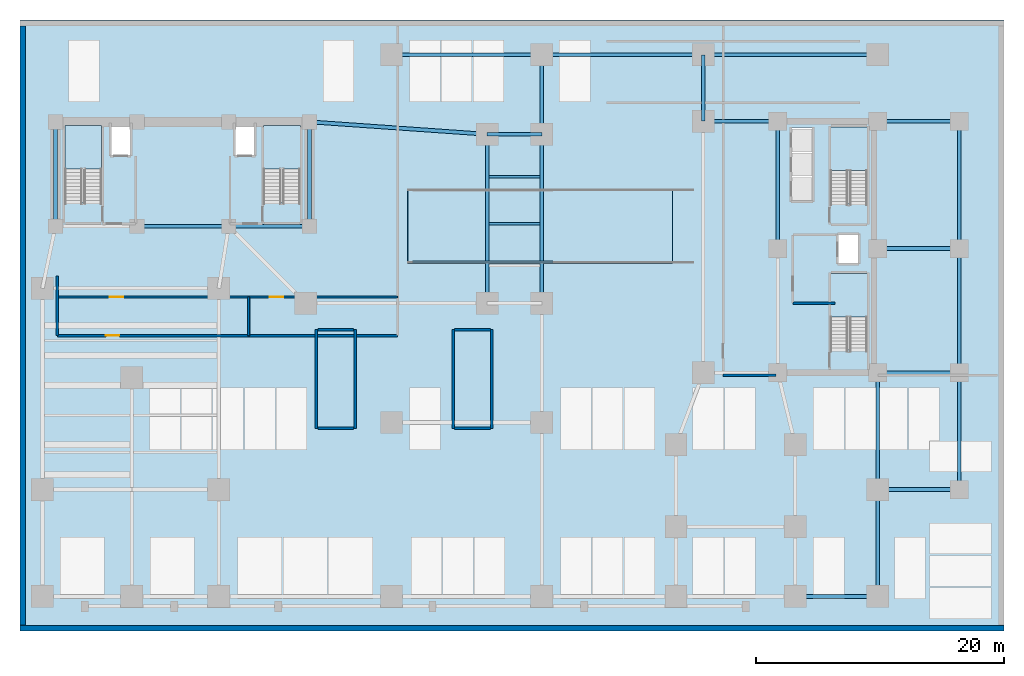
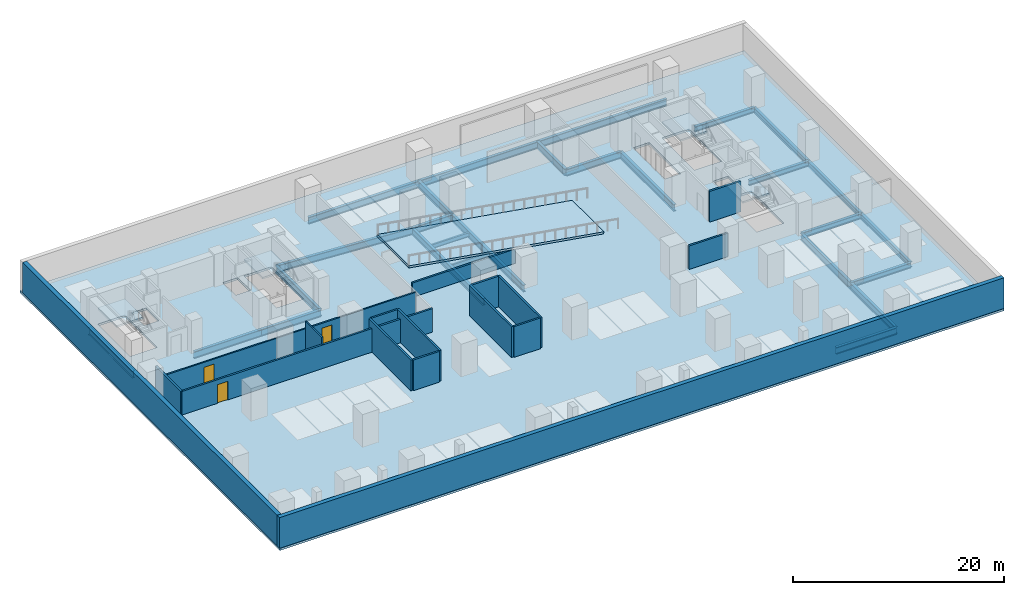
# One storey, part 2 of 9: 27 beams, 17 walls, 6 slabs, 3 doors, 3 openings, 4 elements without a shape of their own.
"""IFC4 building model written with IfcOpenShell, lengths in metres."""

from ifc_helpers import new_model, si_unit, direction, frame, frame_2d, origin, origin_2d, place, context, subcontext, project, spatial, polyline, rectangle, i_section, outline, extrude, material, layer, layer_set, material_profile, profile_set, type_object, element, fill, aggregate, save


model = new_model("IFC4")

# Units and contexts
model_context = context("Model", 3, precision=1e-05, world=origin(), true_north=direction((0.0, 1.0)))
body_context = subcontext(model_context, "Body", "Model", "MODEL_VIEW")
ifc_project = project(units=[si_unit("LENGTHUNIT", "METRE"), si_unit("AREAUNIT", "SQUARE_METRE"), si_unit("VOLUMEUNIT", "CUBIC_METRE"), si_unit("PLANEANGLEUNIT", "RADIAN"), si_unit("MASSUNIT", "GRAM", prefix="KILO")], contexts=[model_context])

# Site, building, storey
site_placement = place(None, origin())
site = spatial("IfcSite", under=ifc_project, at=site_placement, CompositionType="ELEMENT")
building_placement = place(site_placement, origin())
building = spatial("IfcBuilding", under=site, at=building_placement, Name="Kuzgunbayir Cultural Tower", CompositionType="ELEMENT")
storey_placement = place(building_placement, frame((0.0, 0.0, -7.60009765625)))
storey = spatial("IfcBuildingStorey", under=building, at=storey_placement, Name="B02", CompositionType="ELEMENT", Elevation=-7.60009765625)

# Beams
ifc_material_1 = material(Name="Steel S460M", Category="steel")
ifc_material_profile_1 = material_profile(ifc_material_1, i_section(OverallWidth=0.304931640625, OverallDepth=0.6201171875, WebThickness=0.02099609375, FlangeThickness=0.0400390625, FilletRadius=0.027099609375, at=origin_2d()), Name="HEM 600")
ifc_profile_set_1 = profile_set([ifc_material_profile_1], Name="Steel S460M")
beam_type_1 = type_object("IfcBeamType", Name="BM-GIR-HEM600", PredefinedType="BEAM", material=ifc_profile_set_1)
for number, where, z_axis, x_axis, name in (
    (1, (72.64990234375, 12.60009765625, -0.559814453125), (1.0, 0.0, 0.0), (0.0, 1.0, 0.0), "B02 East Substructure Girder 1"),
    (2, (72.64990234375, 22.0, -0.559814453125), (1.0, 0.0, 0.0), (0.0, 1.0, 0.0), "B02 East Substructure Girder 2"),
    (3, (72.64990234375, 32.0, -0.559814453125), (1.0, 0.0, 0.0), (0.0, 1.0, 0.0), "B02 East Substructure Girder 3"),
    (4, (72.64990234375, 42.25, -0.559814453125), (1.0, 0.0, 0.0), (0.0, 1.0, 0.0), "B02 East Substructure Girder 4"),
):
    element("IfcBeam", number, at=place(storey_placement, frame(where, z_axis=z_axis, x_axis=x_axis)), inside=storey, type_object=beam_type_1, Name=name, PredefinedType="BEAM", context=body_context, shape_type="SweptSolid", body=[
        extrude(i_section(OverallWidth=0.304931640625, OverallDepth=0.6201171875, WebThickness=0.02099609375, FlangeThickness=0.0400390625, FilletRadius=0.027099609375, at=origin_2d()), origin(), (0.0, 0.0, 1.0), 6.550048828125),
    ])
beam_1_placement = place(storey_placement, frame((79.199951171875, 12.60009765625, -0.559814453125), z_axis=(0.0, 1.0, 0.0), x_axis=(-1.0, 0.0, 0.0)))
element("IfcBeam", 5, at=beam_1_placement, inside=storey, type_object=beam_type_1, Name="B02 East Substructure Spine 1", PredefinedType="BEAM", context=body_context, shape_type="SweptSolid", body=[
    extrude(i_section(OverallWidth=0.304931640625, OverallDepth=0.6201171875, WebThickness=0.02099609375, FlangeThickness=0.0400390625, FilletRadius=0.027099609375, at=origin_2d()), origin(), (0.0, 0.0, 1.0), 9.39990234375),
])
beam_2_placement = place(storey_placement, frame((79.199951171875, 22.0, -0.559814453125), z_axis=(0.0, 1.0, 0.0), x_axis=(-1.0, 0.0, 0.0)))
element("IfcBeam", 6, at=beam_2_placement, inside=storey, type_object=beam_type_1, Name="B02 East Substructure Spine 2", PredefinedType="BEAM", context=body_context, shape_type="SweptSolid", body=[
    extrude(i_section(OverallWidth=0.304931640625, OverallDepth=0.6201171875, WebThickness=0.02099609375, FlangeThickness=0.0400390625, FilletRadius=0.027099609375, at=origin_2d()), origin(), (0.0, 0.0, 1.0), 10.0),
])
beam_3_placement = place(storey_placement, frame((79.199951171875, 32.0, -0.559814453125), z_axis=(0.0, 1.0, 0.0), x_axis=(-1.0, 0.0, 0.0)))
element("IfcBeam", 7, at=beam_3_placement, inside=storey, type_object=beam_type_1, Name="B02 East Substructure Spine 3", PredefinedType="BEAM", context=body_context, shape_type="SweptSolid", body=[
    extrude(i_section(OverallWidth=0.304931640625, OverallDepth=0.6201171875, WebThickness=0.02099609375, FlangeThickness=0.0400390625, FilletRadius=0.027099609375, at=origin_2d()), origin(), (0.0, 0.0, 1.0), 10.25),
])
ifc_material_profile_2 = material_profile(ifc_material_1, i_section(OverallWidth=0.302978515625, OverallDepth=0.81396484375, WebThickness=0.02099609375, FlangeThickness=0.0400390625, FilletRadius=0.030029296875, at=origin_2d()), Name="HEM 800")
ifc_profile_set_2 = profile_set([ifc_material_profile_2], Name="Steel S460M")
beam_type_2 = type_object("IfcBeamType", Name="BM-GIR-HEM800", PredefinedType="BEAM", material=ifc_profile_set_2)
beam_4_placement = place(storey_placement, frame((66.0, 4.0, -0.659912109375), z_axis=(1.0, 0.0, 0.0), x_axis=(0.0, 1.0, 0.0)))
element("IfcBeam", 8, at=beam_4_placement, inside=storey, type_object=beam_type_2, Name="B02 Podium South Girder 7", PredefinedType="BEAM", context=body_context, shape_type="SweptSolid", body=[
    extrude(i_section(OverallWidth=0.302978515625, OverallDepth=0.81396484375, WebThickness=0.02099609375, FlangeThickness=0.0400390625, FilletRadius=0.030029296875, at=origin_2d()), origin(), (0.0, 0.0, 1.0), 6.64990234375),
])
beam_5_placement = place(storey_placement, frame((33.5, 47.60009765625, -0.659912109375), z_axis=(1.0, 0.0, 0.0), x_axis=(0.0, 1.0, 0.0)))
element("IfcBeam", 9, at=beam_5_placement, inside=storey, type_object=beam_type_2, Name="B02 Podium North Girder 1", PredefinedType="BEAM", context=body_context, shape_type="SweptSolid", body=[
    extrude(i_section(OverallWidth=0.302978515625, OverallDepth=0.81396484375, WebThickness=0.02099609375, FlangeThickness=0.0400390625, FilletRadius=0.030029296875, at=origin_2d()), origin(), (0.0, 0.0, 1.0), 12.10009765625),
])
beam_6_placement = place(storey_placement, frame((45.60009765625, 47.60009765625, -0.659912109375), z_axis=(1.0, 0.0, 0.0), x_axis=(0.0, 1.0, 0.0)))
element("IfcBeam", 10, at=beam_6_placement, inside=storey, type_object=beam_type_2, Name="B02 Podium North Girder 2", PredefinedType="BEAM", context=body_context, shape_type="SweptSolid", body=[
    extrude(i_section(OverallWidth=0.302978515625, OverallDepth=0.81396484375, WebThickness=0.02099609375, FlangeThickness=0.0400390625, FilletRadius=0.030029296875, at=origin_2d()), origin(), (0.0, 0.0, 1.0), 13.0),
])
beam_7_placement = place(storey_placement, frame((58.60009765625, 47.60009765625, -0.659912109375), z_axis=(1.0, 0.0, 0.0), x_axis=(0.0, 1.0, 0.0)))
element("IfcBeam", 11, at=beam_7_placement, inside=storey, type_object=beam_type_2, Name="B02 Podium North Girder 3", PredefinedType="BEAM", context=body_context, shape_type="SweptSolid", body=[
    extrude(i_section(OverallWidth=0.302978515625, OverallDepth=0.81396484375, WebThickness=0.02099609375, FlangeThickness=0.0400390625, FilletRadius=0.030029296875, at=origin_2d()), origin(), (0.0, 0.0, 1.0), 14.0498046875),
])
beam_8_placement = place(storey_placement, frame((26.89990234375, 42.199951171875, -0.659912109375), z_axis=(0.997563840671, -0.06975947094, 0.0), x_axis=(0.06975947094, 0.997563840671, 0.0)))
element("IfcBeam", 12, at=beam_8_placement, inside=storey, type_object=beam_type_2, Name="B02 Podium Primary Girder 12", PredefinedType="BEAM", context=body_context, shape_type="SweptSolid", body=[
    extrude(i_section(OverallWidth=0.302978515625, OverallDepth=0.81396484375, WebThickness=0.02099609375, FlangeThickness=0.0400390625, FilletRadius=0.030029296875, at=origin_2d()), origin(), (0.0, 0.0, 1.0), 14.3349609375),
])
beam_9_placement = place(storey_placement, frame((41.199951171875, 41.199951171875, -0.659912109375), z_axis=(1.0, 0.0, 0.0), x_axis=(0.0, 1.0, 0.0)))
element("IfcBeam", 13, at=beam_9_placement, inside=storey, type_object=beam_type_2, Name="B02 Podium Primary Girder 13", PredefinedType="BEAM", context=body_context, shape_type="SweptSolid", body=[
    extrude(i_section(OverallWidth=0.302978515625, OverallDepth=0.81396484375, WebThickness=0.02099609375, FlangeThickness=0.0400390625, FilletRadius=0.030029296875, at=origin_2d()), origin(), (0.0, 0.0, 1.0), 4.400146484375),
])
for number, where, z_axis, x_axis, name in (
    (14, (41.199951171875, 27.60009765625, -0.659912109375), (0.0, 1.0, 0.0), (-1.0, 0.0, 0.0), "B02 Podium Primary Girder 14"),
    (15, (45.60009765625, 27.60009765625, -0.659912109375), (0.0, 1.0, 0.0), (-1.0, 0.0, 0.0), "B02 Podium Primary Girder 15"),
):
    element("IfcBeam", number, at=place(storey_placement, frame(where, z_axis=z_axis, x_axis=x_axis)), inside=storey, type_object=beam_type_2, Name=name, PredefinedType="BEAM", context=body_context, shape_type="SweptSolid", body=[
        extrude(i_section(OverallWidth=0.302978515625, OverallDepth=0.81396484375, WebThickness=0.02099609375, FlangeThickness=0.0400390625, FilletRadius=0.030029296875, at=origin_2d()), origin(), (0.0, 0.0, 1.0), 13.599853515625),
    ])
beam_10_placement = place(storey_placement, frame((58.60009765625, 42.25, -0.659912109375), z_axis=(1.0, 0.0, 0.0), x_axis=(0.0, 1.0, 0.0)))
element("IfcBeam", 16, at=beam_10_placement, inside=storey, type_object=beam_type_2, Name="B02 Podium Primary Girder 24", PredefinedType="BEAM", context=body_context, shape_type="SweptSolid", body=[
    extrude(i_section(OverallWidth=0.302978515625, OverallDepth=0.81396484375, WebThickness=0.02099609375, FlangeThickness=0.0400390625, FilletRadius=0.030029296875, at=origin_2d()), origin(), (0.0, 0.0, 1.0), 6.0),
])
beam_11_placement = place(storey_placement, frame((64.60009765625, 32.0, -0.659912109375), z_axis=(0.0, 1.0, 0.0), x_axis=(-1.0, 0.0, 0.0)))
element("IfcBeam", 17, at=beam_11_placement, inside=storey, type_object=beam_type_2, Name="B02 Podium Primary Girder 27", PredefinedType="BEAM", context=body_context, shape_type="SweptSolid", body=[
    extrude(i_section(OverallWidth=0.302978515625, OverallDepth=0.81396484375, WebThickness=0.02099609375, FlangeThickness=0.0400390625, FilletRadius=0.030029296875, at=origin_2d()), origin(), (0.0, 0.0, 1.0), 10.25),
])
beam_12_placement = place(storey_placement, frame((13.0, 33.800048828125, -0.659912109375), z_axis=(1.0, 0.0, 0.0), x_axis=(0.0, 1.0, 0.0)))
element("IfcBeam", 18, at=beam_12_placement, inside=storey, type_object=beam_type_2, Name="B02 Podium Primary Girder 29", PredefinedType="BEAM", context=body_context, shape_type="SweptSolid", body=[
    extrude(i_section(OverallWidth=0.302978515625, OverallDepth=0.81396484375, WebThickness=0.02099609375, FlangeThickness=0.0400390625, FilletRadius=0.030029296875, at=origin_2d()), origin(), (0.0, 0.0, 1.0), 7.39990234375),
])
beam_13_placement = place(storey_placement, frame((20.39990234375, 33.800048828125, -0.659912109375), z_axis=(1.0, 0.0, 0.0), x_axis=(0.0, 1.0, 0.0)))
element("IfcBeam", 19, at=beam_13_placement, inside=storey, type_object=beam_type_2, Name="B02 Podium Primary Girder 30", PredefinedType="BEAM", context=body_context, shape_type="SweptSolid", body=[
    extrude(i_section(OverallWidth=0.302978515625, OverallDepth=0.81396484375, WebThickness=0.02099609375, FlangeThickness=0.0400390625, FilletRadius=0.030029296875, at=origin_2d()), origin(), (0.0, 0.0, 1.0), 6.5),
])
for number, where, z_axis, x_axis, name in (
    (20, (6.449951171875, 33.800048828125, -0.659912109375), (0.0, 1.0, 0.0), (-1.0, 0.0, 0.0), "B02 Podium Primary Girder 31"),
    (21, (26.89990234375, 33.800048828125, -0.659912109375), (0.0, 1.0, 0.0), (-1.0, 0.0, 0.0), "B02 Podium Primary Girder 32"),
):
    element("IfcBeam", number, at=place(storey_placement, frame(where, z_axis=z_axis, x_axis=x_axis)), inside=storey, type_object=beam_type_2, Name=name, PredefinedType="BEAM", context=body_context, shape_type="SweptSolid", body=[
        extrude(i_section(OverallWidth=0.302978515625, OverallDepth=0.81396484375, WebThickness=0.02099609375, FlangeThickness=0.0400390625, FilletRadius=0.030029296875, at=origin_2d()), origin(), (0.0, 0.0, 1.0), 8.39990234375),
    ])
beam_14_placement = place(storey_placement, frame((72.64990234375, 4.0, -0.659912109375), z_axis=(0.0, 1.0, 0.0), x_axis=(-1.0, 0.0, 0.0)))
element("IfcBeam", 22, at=beam_14_placement, inside=storey, type_object=beam_type_2, Name="B02 Podium Primary Girder 39", PredefinedType="BEAM", context=body_context, shape_type="SweptSolid", body=[
    extrude(i_section(OverallWidth=0.302978515625, OverallDepth=0.81396484375, WebThickness=0.02099609375, FlangeThickness=0.0400390625, FilletRadius=0.030029296875, at=origin_2d()), origin(), (0.0, 0.0, 1.0), 8.60009765625),
])
beam_15_placement = place(storey_placement, frame((72.64990234375, 12.60009765625, -0.659912109375), z_axis=(0.0, 1.0, 0.0), x_axis=(-1.0, 0.0, 0.0)))
element("IfcBeam", 23, at=beam_15_placement, inside=storey, type_object=beam_type_2, Name="B02 Podium Primary Girder 40", PredefinedType="BEAM", context=body_context, shape_type="SweptSolid", body=[
    extrude(i_section(OverallWidth=0.302978515625, OverallDepth=0.81396484375, WebThickness=0.02099609375, FlangeThickness=0.0400390625, FilletRadius=0.030029296875, at=origin_2d()), origin(), (0.0, 0.0, 1.0), 9.39990234375),
])
beam_16_placement = place(storey_placement, frame((45.60009765625, 41.199951171875, -0.659912109375), z_axis=(0.0, 1.0, 0.0), x_axis=(-1.0, 0.0, 0.0)))
element("IfcBeam", 24, at=beam_16_placement, inside=storey, type_object=beam_type_2, Name="B02 Podium Primary Girder 41", PredefinedType="BEAM", context=body_context, shape_type="SweptSolid", body=[
    extrude(i_section(OverallWidth=0.302978515625, OverallDepth=0.81396484375, WebThickness=0.02099609375, FlangeThickness=0.0400390625, FilletRadius=0.030029296875, at=origin_2d()), origin(), (0.0, 0.0, 1.0), 6.400146484375),
])
beam_17_placement = place(storey_placement, frame((58.60009765625, 42.25, -0.659912109375), z_axis=(0.0, 1.0, 0.0), x_axis=(-1.0, 0.0, 0.0)))
element("IfcBeam", 25, at=beam_17_placement, inside=storey, type_object=beam_type_2, Name="B02 Podium Primary Girder 42", PredefinedType="BEAM", context=body_context, shape_type="SweptSolid", body=[
    extrude(i_section(OverallWidth=0.302978515625, OverallDepth=0.81396484375, WebThickness=0.02099609375, FlangeThickness=0.0400390625, FilletRadius=0.030029296875, at=origin_2d()), origin(), (0.0, 0.0, 1.0), 5.35009765625),
])
ifc_material_2 = material(Name="Steel S355J2", Category="steel")
ifc_material_profile_3 = material_profile(ifc_material_2, i_section(OverallWidth=0.199951171875, OverallDepth=0.5, WebThickness=0.01025390625, FlangeThickness=0.01611328125, FilletRadius=0.02099609375, at=origin_2d()), Name="IPE 500")
ifc_profile_set_3 = profile_set([ifc_material_profile_3], Name="Steel S355J2")
beam_type_3 = type_object("IfcBeamType", Name="BM-JST-IPE500", PredefinedType="JOIST", material=ifc_profile_set_3)
for number, where, z_axis, x_axis, name in (
    (26, (41.35009765625, 34.0, -0.5), (1.0, 0.0, 0.0), (0.0, 1.0, 0.0), "B02 Podium Joist B"),
    (27, (41.35009765625, 37.800048828125, -0.5), (1.0, 0.0, 0.0), (0.0, 1.0, 0.0), "B02 Podium Joist B"),
):
    element("IfcBeam", number, at=place(storey_placement, frame(where, z_axis=z_axis, x_axis=x_axis)), inside=storey, type_object=beam_type_3, Name=name, PredefinedType="JOIST", context=body_context, shape_type="SweptSolid", body=[
        extrude(i_section(OverallWidth=0.199951171875, OverallDepth=0.5, WebThickness=0.01025390625, FlangeThickness=0.01611328125, FilletRadius=0.02099609375, at=origin_2d()), origin(), (0.0, 0.0, 1.0), 4.099853515625),
    ])

# Stair, slab
ifc_material_3 = material(Name="Concrete C40/50", Category="concrete")
stair_type = type_object("IfcStairType", Name="STR-EXIT-CORE", PredefinedType="HALF_TURN_STAIR", material=ifc_material_3)
stair_1_placement = place(storey_placement, origin())
stair_1 = element("IfcStair", 28, at=stair_1_placement, inside=storey, type_object=stair_type, Name="B02 ST-1", PredefinedType="HALF_TURN_STAIR")
ifc_layer_1 = layer(ifc_material_3, 0.179931640625)
ifc_layer_set_1 = layer_set([ifc_layer_1], Name="Concrete C40/50")
slab_type_1 = type_object("IfcSlabType", Name="SLB-LANDING-180", PredefinedType="LANDING", material=ifc_layer_set_1)
slab_1_placement = place(storey_placement, frame((0.0, 0.0, 1.7001953125)))
slab_1 = element("IfcSlab", 29, at=slab_1_placement, type_object=slab_type_1, Name="ST-1 landing 1", PredefinedType="LANDING", context=body_context, shape_type="SweptSolid", body=[
    extrude(outline(polyline([(10.159912109375, 38.39990234375), (10.159912109375, 41.89990234375), (7.199951171875, 41.89990234375), (7.199951171875, 38.39990234375), (10.159912109375, 38.39990234375)])), origin(), (0.0, 0.0, 1.0), 0.199951171875),
])
aggregate(stair_1, [slab_1])

stair_2_placement = place(storey_placement, origin())
stair_2 = element("IfcStair", 30, at=stair_2_placement, inside=storey, type_object=stair_type, Name="B02 ST-2", PredefinedType="HALF_TURN_STAIR")
slab_2_placement = place(storey_placement, frame((0.0, 0.0, 1.7001953125)))
slab_2 = element("IfcSlab", 31, at=slab_2_placement, type_object=slab_type_1, Name="ST-2 landing 1", PredefinedType="LANDING", context=body_context, shape_type="SweptSolid", body=[
    extrude(outline(polyline([(26.159912109375, 38.39990234375), (26.159912109375, 41.89990234375), (23.199951171875, 41.89990234375), (23.199951171875, 38.39990234375), (26.159912109375, 38.39990234375)])), origin(), (0.0, 0.0, 1.0), 0.199951171875),
])
aggregate(stair_2, [slab_2])

stair_3_placement = place(storey_placement, origin())
stair_3 = element("IfcStair", 32, at=stair_3_placement, inside=storey, type_object=stair_type, Name="B02 ST-3", PredefinedType="HALF_TURN_STAIR")
slab_3_placement = place(storey_placement, frame((0.0, 0.0, 1.7001953125)))
slab_3 = element("IfcSlab", 33, at=slab_3_placement, type_object=slab_type_1, Name="ST-3 landing 1", PredefinedType="LANDING", context=body_context, shape_type="SweptSolid", body=[
    extrude(outline(polyline([(71.800048828125, 26.5), (71.800048828125, 30.0), (68.840087890625, 30.0), (68.840087890625, 26.5), (71.800048828125, 26.5)])), origin(), (0.0, 0.0, 1.0), 0.199951171875),
])
aggregate(stair_3, [slab_3])

stair_4_placement = place(storey_placement, origin())
stair_4 = element("IfcStair", 34, at=stair_4_placement, inside=storey, type_object=stair_type, Name="B02 ST-4", PredefinedType="HALF_TURN_STAIR")
slab_4_placement = place(storey_placement, frame((0.0, 0.0, 1.7001953125)))
slab_4 = element("IfcSlab", 35, at=slab_4_placement, type_object=slab_type_1, Name="ST-4 landing 1", PredefinedType="LANDING", context=body_context, shape_type="SweptSolid", body=[
    extrude(outline(polyline([(71.800048828125, 38.300048828125), (71.800048828125, 41.800048828125), (68.840087890625, 41.800048828125), (68.840087890625, 38.300048828125), (71.800048828125, 38.300048828125)])), origin(), (0.0, 0.0, 1.0), 0.199951171875),
])
aggregate(stair_4, [slab_4])

# Slabs
ifc_layer_2 = layer(ifc_material_3, 0.25)
ifc_layer_set_2 = layer_set([ifc_layer_2], Name="Concrete C40/50")
slab_type_2 = type_object("IfcSlabType", Name="SLB-POD-250", PredefinedType="FLOOR", material=ifc_layer_set_2)
slab_5_placement = place(storey_placement, frame((0.0, 0.0, -0.25)))
element("IfcSlab", 36, at=slab_5_placement, inside=storey, type_object=slab_type_2, Name="B02 Podium Structural Floor Slab", PredefinedType="FLOOR", context=body_context, shape_type="SweptSolid", body=[
    extrude(outline(polyline([(3.60009765625, 1.199951171875), (82.800048828125, 1.199951171875), (82.800048828125, 50.39990234375), (3.60009765625, 50.39990234375), (3.60009765625, 1.199951171875)]), holes=[polyline([(7.199951171875, 35.760009765625), (7.199951171875, 41.89990234375), (10.159912109375, 41.89990234375), (10.159912109375, 35.760009765625), (7.199951171875, 35.760009765625)]), polyline([(23.199951171875, 35.760009765625), (23.199951171875, 41.89990234375), (26.159912109375, 41.89990234375), (26.159912109375, 35.760009765625), (23.199951171875, 35.760009765625)]), polyline([(68.840087890625, 23.860107421875), (68.840087890625, 30.0), (71.800048828125, 30.0), (71.800048828125, 23.860107421875), (68.840087890625, 23.860107421875)]), polyline([(68.840087890625, 35.659912109375), (68.840087890625, 41.800048828125), (71.800048828125, 41.800048828125), (71.800048828125, 35.659912109375), (68.840087890625, 35.659912109375)]), polyline([(10.89990234375, 39.5), (10.89990234375, 41.89990234375), (12.5, 41.89990234375), (12.5, 39.5), (10.89990234375, 39.5)]), polyline([(20.89990234375, 39.5), (20.89990234375, 41.89990234375), (22.5, 41.89990234375), (22.5, 39.5), (20.89990234375, 39.5)]), polyline([(65.699951171875, 35.800048828125), (65.699951171875, 41.75), (67.39990234375, 41.75), (67.39990234375, 35.800048828125), (65.699951171875, 35.800048828125)]), polyline([(69.5, 30.800048828125), (69.5, 33.199951171875), (71.10009765625, 33.199951171875), (71.10009765625, 30.800048828125), (69.5, 30.800048828125)])]), origin(), (0.0, 0.0, 1.0), 0.25),
])
ifc_layer_3 = layer(ifc_material_3, 0.239990234375)
ifc_layer_set_3 = layer_set([ifc_layer_3], Name="Concrete C40/50")
slab_type_3 = type_object("IfcSlabType", Name="SLB-VRAMP-240", PredefinedType="FLOOR", material=ifc_layer_set_3)
slab_6_placement = place(storey_placement, frame((56.139892578125, 30.800048828125, 0.27001953125), z_axis=(0.162974568766, 0.0, 0.986630270129), x_axis=(-0.986630270129, 0.0, 0.162974568766)))
element("IfcSlab", 37, at=slab_6_placement, inside=storey, type_object=slab_type_3, Name="B02 Car Park Vehicle Ramp VR-2 Structural Concrete Slab", PredefinedType="FLOOR", context=body_context, shape_type="SweptSolid", body=[
    extrude(outline(polyline([(0.0, 0.0), (21.59858165544665, 0.0), (21.59858165544665, -6.0), (0.0, -6.0), (0.0, 0.0)])), origin(), (0.0, 0.0, -1.0), 0.239990234375),
])

# Walls
ifc_layer_4 = layer(ifc_material_3, 0.449951171875)
ifc_layer_set_4 = layer_set([ifc_layer_4], Name="Concrete C40/50")
wall_type_1 = type_object("IfcWallType", Name="WAL-EXT-BSM-450", PredefinedType="SOLIDWALL", material=ifc_layer_set_4)
wall_1_placement = place(storey_placement, frame((3.60009765625, 1.449951171875, 0.0), z_axis=(0.0, 0.0, 1.0), x_axis=(1.0, 0.0, 0.0)))
element("IfcWall", 38, at=wall_1_placement, inside=storey, type_object=wall_type_1, Name="B02 South Retaining Wall", PredefinedType="SOLIDWALL", context=body_context, shape_type="SweptSolid", body=[
    extrude(rectangle(XDim=79.199951171875, YDim=0.449951171875, at=frame_2d((39.60009765625, 0.0))), origin(), (0.0, 0.0, 1.0), 3.550048828125),
])
wall_2_placement = place(storey_placement, frame((3.820068359375, 49.89990234375, 0.0), z_axis=(0.0, 0.0, 1.0), x_axis=(0.0, -1.0, 0.0)))
element("IfcWall", 39, at=wall_2_placement, inside=storey, type_object=wall_type_1, Name="B02 West Retaining Wall", PredefinedType="SOLIDWALL", context=body_context, shape_type="SweptSolid", body=[
    extrude(rectangle(XDim=48.199951171875, YDim=0.449951171875, at=frame_2d((24.10009765625, 0.0))), origin(), (0.0, 0.0, 1.0), 3.550048828125),
])

# Wall, openings, doors
ifc_material_4 = material(Name="Acoustic Double-Stud Drywall", Category="gypsum")
ifc_layer_5 = layer(ifc_material_4, 0.14990234375)
ifc_layer_set_5 = layer_set([ifc_layer_5], Name="Acoustic Double-Stud Drywall")
wall_type_2 = type_object("IfcWallType", Name="WAL-PART-ACOUSTIC-150", PredefinedType="PARTITIONING", material=ifc_layer_set_5)
wall_3_placement = place(storey_placement, frame((6.60009765625, 28.10009765625, 0.0), z_axis=(0.0, 0.0, 1.0), x_axis=(1.0, 0.0, 0.0)))
wall_3 = element("IfcWall", 40, at=wall_3_placement, inside=storey, type_object=wall_type_2, Name="B02 Basement Core Corridor Wall", PredefinedType="PARTITIONING", context=body_context, shape_type="SweptSolid", body=[
    extrude(rectangle(XDim=27.39990234375, YDim=0.14990234375, at=frame_2d((13.699951171875, 0.0))), origin(), (0.0, 0.0, 1.0), 2.72021484375),
])
opening_1_placement = place(wall_3_placement, frame((4.199951171875, 0.0, 0.0)))
opening_1 = element("IfcOpeningElement", 41, at=opening_1_placement, cuts=wall_3, Name="Opening DR-STAIR-90", PredefinedType="OPENING", context=body_context, shape_type="SweptSolid", body=[
    extrude(rectangle(XDim=1.10009765625, YDim=2.14990234375, at=frame_2d((0.550048828125, 1.074951171875))), frame((0.0, 0.0849609375, 0.0), z_axis=(0.0, -1.0, 0.0), x_axis=(1.0, 0.0, 0.0)), (0.0, 0.0, 1.0), 0.169921875),
])
opening_2_placement = place(wall_3_placement, frame((17.080078125, 0.0, 0.0)))
opening_2 = element("IfcOpeningElement", 42, at=opening_2_placement, cuts=wall_3, Name="Opening DR-STAIR-90", PredefinedType="OPENING", context=body_context, shape_type="SweptSolid", body=[
    extrude(rectangle(XDim=1.10009765625, YDim=2.14990234375, at=frame_2d((0.550048828125, 1.074951171875))), frame((0.0, 0.0849609375, 0.0), z_axis=(0.0, -1.0, 0.0), x_axis=(1.0, 0.0, 0.0)), (0.0, 0.0, 1.0), 0.169921875),
])
door_type = type_object("IfcDoorType", Name="DR-STAIR-90", OperationType="NOTDEFINED", PredefinedType="DOOR", material=ifc_material_2)
door_1_placement = place(opening_1_placement, origin())
door_1 = element("IfcDoor", 43, at=door_1_placement, inside=storey, type_object=door_type, Name="B02 Shuttle Lobby to Core Corridor Door", OperationType="SINGLE_SWING_RIGHT", OverallHeight=2.14990234375, OverallWidth=1.10009765625, PredefinedType="DOOR", context=body_context, shape_type="SweptSolid", body=[
    extrude(rectangle(XDim=1.10009765625, YDim=2.14990234375, at=frame_2d((0.550048828125, 1.074951171875))), frame((0.0, 0.02490234375, 0.0), z_axis=(0.0, -1.0, 0.0), x_axis=(1.0, 0.0, 0.0)), (0.0, 0.0, 1.0), 0.050048828125),
])
fill(opening_1, door_1)
door_2_placement = place(opening_2_placement, origin())
door_2 = element("IfcDoor", 44, at=door_2_placement, inside=storey, type_object=door_type, Name="B02 Cycle Store to Core Corridor Door", OperationType="SINGLE_SWING_LEFT", OverallHeight=2.14990234375, OverallWidth=1.10009765625, PredefinedType="DOOR", context=body_context, shape_type="SweptSolid", body=[
    extrude(rectangle(XDim=1.10009765625, YDim=2.14990234375, at=frame_2d((0.550048828125, 1.074951171875))), frame((0.0, 0.02490234375, 0.0), z_axis=(0.0, -1.0, 0.0), x_axis=(1.0, 0.0, 0.0)), (0.0, 0.0, 1.0), 0.050048828125),
])
fill(opening_2, door_2)

# Walls
wall_4_placement = place(storey_placement, frame((22.0, 25.0, 0.0), z_axis=(0.0, 0.0, 1.0), x_axis=(0.0, 1.0, 0.0)))
element("IfcWall", 45, at=wall_4_placement, inside=storey, type_object=wall_type_2, Name="B02 Cycle Store Partition", PredefinedType="PARTITIONING", context=body_context, shape_type="SweptSolid", body=[
    extrude(rectangle(XDim=3.10009765625, YDim=0.14990234375, at=frame_2d((1.550048828125, 0.0))), origin(), (0.0, 0.0, 1.0), 3.550048828125),
])
ifc_material_5 = material(Name="Aerated Concrete Blockwork", Category="masonry")
ifc_layer_6 = layer(ifc_material_5, 0.199951171875)
ifc_layer_set_6 = layer_set([ifc_layer_6], Name="Aerated Concrete Blockwork")
wall_type_3 = type_object("IfcWallType", Name="WAL-PART-FIRE-200", PredefinedType="PARTITIONING", material=ifc_layer_set_6)
wall_5_placement = place(storey_placement, frame((65.800048828125, 27.60009765625, 0.0), z_axis=(0.0, 0.0, 1.0), x_axis=(1.0, 0.0, 0.0)))
element("IfcWall", 46, at=wall_5_placement, inside=storey, type_object=wall_type_3, Name="B02 FFL-3 Lobby South Fire Wall", PredefinedType="PARTITIONING", context=body_context, shape_type="SweptSolid", body=[
    extrude(rectangle(XDim=3.39990234375, YDim=0.199951171875, at=frame_2d((1.699951171875, 0.0))), origin(), (0.0, 0.0, 1.0), 3.550048828125),
])

# Wall, opening, door
wall_6_placement = place(storey_placement, frame((6.60009765625, 25.0, 0.0), z_axis=(0.0, 0.0, 1.0), x_axis=(1.0, 0.0, 0.0)))
wall_6 = element("IfcWall", 47, at=wall_6_placement, inside=storey, type_object=wall_type_3, Name="B02 Basement Parking Fire Compartment Wall", PredefinedType="PARTITIONING", context=body_context, shape_type="SweptSolid", body=[
    extrude(rectangle(XDim=27.39990234375, YDim=0.199951171875, at=frame_2d((13.699951171875, 0.0))), origin(), (0.0, 0.0, 1.0), 2.72021484375),
])
opening_3_placement = place(wall_6_placement, frame((3.89990234375, 0.0, 0.0)))
opening_3 = element("IfcOpeningElement", 48, at=opening_3_placement, cuts=wall_6, Name="Opening DR-STAIR-90", PredefinedType="OPENING", context=body_context, shape_type="SweptSolid", body=[
    extrude(rectangle(XDim=1.10009765625, YDim=2.14990234375, at=frame_2d((0.550048828125, 1.074951171875))), frame((0.0, 0.10986328125, 0.0), z_axis=(0.0, -1.0, 0.0), x_axis=(1.0, 0.0, 0.0)), (0.0, 0.0, 1.0), 0.219970703125),
])
door_3_placement = place(opening_3_placement, origin())
door_3 = element("IfcDoor", 49, at=door_3_placement, inside=storey, type_object=door_type, Name="B02 Parking to Shuttle Lobby Door", OperationType="SINGLE_SWING_LEFT", OverallHeight=2.14990234375, OverallWidth=1.10009765625, PredefinedType="DOOR", context=body_context, shape_type="SweptSolid", body=[
    extrude(rectangle(XDim=1.10009765625, YDim=2.14990234375, at=frame_2d((0.550048828125, 1.074951171875))), frame((0.0, 0.02490234375, 0.0), z_axis=(0.0, -1.0, 0.0), x_axis=(1.0, 0.0, 0.0)), (0.0, 0.0, 1.0), 0.050048828125),
])
fill(opening_3, door_3)

# Walls
wall_7_placement = place(storey_placement, frame((6.60009765625, 25.0, 0.0), z_axis=(0.0, 0.0, 1.0), x_axis=(0.0, 1.0, 0.0)))
element("IfcWall", 50, at=wall_7_placement, inside=storey, type_object=wall_type_3, Name="B02 Basement Core West Fire Wall", PredefinedType="PARTITIONING", context=body_context, shape_type="SweptSolid", body=[
    extrude(rectangle(XDim=4.800048828125, YDim=0.199951171875, at=frame_2d((2.39990234375, 0.0))), origin(), (0.0, 0.0, 1.0), 2.72021484375),
])
wall_8_placement = place(storey_placement, frame((60.199951171875, 21.800048828125, 0.0), z_axis=(0.0, 0.0, 1.0), x_axis=(1.0, 0.0, 0.0)))
element("IfcWall", 51, at=wall_8_placement, inside=storey, type_object=wall_type_3, Name="B02 Companion Basement South Wall", PredefinedType="PARTITIONING", context=body_context, shape_type="SweptSolid", body=[
    extrude(rectangle(XDim=4.25, YDim=0.199951171875, at=frame_2d((2.125, 0.0))), origin(), (0.0, 0.0, 1.0), 2.72021484375),
])
ifc_layer_7 = layer(ifc_material_3, 0.199951171875)
ifc_layer_set_7 = layer_set([ifc_layer_7], Name="Concrete C40/50")
wall_type_4 = type_object("IfcWallType", Name="WAL-STAIR-RC-200", PredefinedType="SHEAR", material=ifc_layer_set_7)
for number, where, z_axis, x_axis, name in (
    (52, (27.4599609375, 17.52001953125, 0.0), (0.0, 0.0, 1.0), (0.0, 1.0, 0.0), "B02 Riser Shaft ST-5 West Structural Wall"),
    (53, (30.580078125, 17.52001953125, 0.0), (0.0, 0.0, 1.0), (0.0, 1.0, 0.0), "B02 Riser Shaft ST-5 East Structural Wall"),
):
    element("IfcWall", number, at=place(storey_placement, frame(where, z_axis=z_axis, x_axis=x_axis)), inside=storey, type_object=wall_type_4, Name=name, PredefinedType="SHEAR", context=body_context, shape_type="SweptSolid", body=[
        extrude(rectangle(XDim=7.9599609375, YDim=0.199951171875, at=frame_2d((3.97998046875, 0.0))), origin(), (0.0, 0.0, 1.0), 3.550048828125),
    ])
for number, where, z_axis, x_axis, name in (
    (54, (27.580078125, 25.47998046875, 0.0), (0.0, 0.0, 1.0), (1.0, 0.0, 0.0), "B02 Riser Shaft ST-5 North Structural Wall"),
    (55, (27.580078125, 17.52001953125, 0.0), (0.0, 0.0, 1.0), (1.0, 0.0, 0.0), "B02 Riser Shaft ST-5 South Structural Wall"),
):
    element("IfcWall", number, at=place(storey_placement, frame(where, z_axis=z_axis, x_axis=x_axis)), inside=storey, type_object=wall_type_4, Name=name, PredefinedType="SHEAR", context=body_context, shape_type="SweptSolid", body=[
        extrude(rectangle(XDim=2.8798828125, YDim=0.199951171875, at=frame_2d((1.43994140625, 0.0))), origin(), (0.0, 0.0, 1.0), 3.550048828125),
    ])
for number, where, z_axis, x_axis, name in (
    (56, (38.4599609375, 17.52001953125, 0.0), (0.0, 0.0, 1.0), (0.0, 1.0, 0.0), "B02 Riser Shaft ST-6 West Structural Wall"),
    (57, (41.580078125, 17.52001953125, 0.0), (0.0, 0.0, 1.0), (0.0, 1.0, 0.0), "B02 Riser Shaft ST-6 East Structural Wall"),
):
    element("IfcWall", number, at=place(storey_placement, frame(where, z_axis=z_axis, x_axis=x_axis)), inside=storey, type_object=wall_type_4, Name=name, PredefinedType="SHEAR", context=body_context, shape_type="SweptSolid", body=[
        extrude(rectangle(XDim=7.9599609375, YDim=0.199951171875, at=frame_2d((3.97998046875, 0.0))), origin(), (0.0, 0.0, 1.0), 3.550048828125),
    ])
for number, where, z_axis, x_axis, name in (
    (58, (38.580078125, 25.47998046875, 0.0), (0.0, 0.0, 1.0), (1.0, 0.0, 0.0), "B02 Riser Shaft ST-6 North Structural Wall"),
    (59, (38.580078125, 17.52001953125, 0.0), (0.0, 0.0, 1.0), (1.0, 0.0, 0.0), "B02 Riser Shaft ST-6 South Structural Wall"),
):
    element("IfcWall", number, at=place(storey_placement, frame(where, z_axis=z_axis, x_axis=x_axis)), inside=storey, type_object=wall_type_4, Name=name, PredefinedType="SHEAR", context=body_context, shape_type="SweptSolid", body=[
        extrude(rectangle(XDim=2.8798828125, YDim=0.199951171875, at=frame_2d((1.43994140625, 0.0))), origin(), (0.0, 0.0, 1.0), 3.550048828125),
    ])
wall_9_placement = place(storey_placement, frame((35.199951171875, 30.919921875, 0.0), z_axis=(0.0, 0.0, 1.0), x_axis=(1.0, 0.0, 0.0)))
element("IfcWall", 60, at=wall_9_placement, inside=storey, type_object=wall_type_4, Name="B02 Vehicle Ramp VR-2 Support Wall S", PredefinedType="SHEAR", context=body_context, shape_type="SweptSolid", body=[
    extrude(rectangle(XDim=11.300048828125, YDim=0.199951171875, at=frame_2d((5.64990234375, 0.0))), origin(), (0.0, 0.0, 1.0), 1.650146484375),
])

save(model, "model.ifc")
